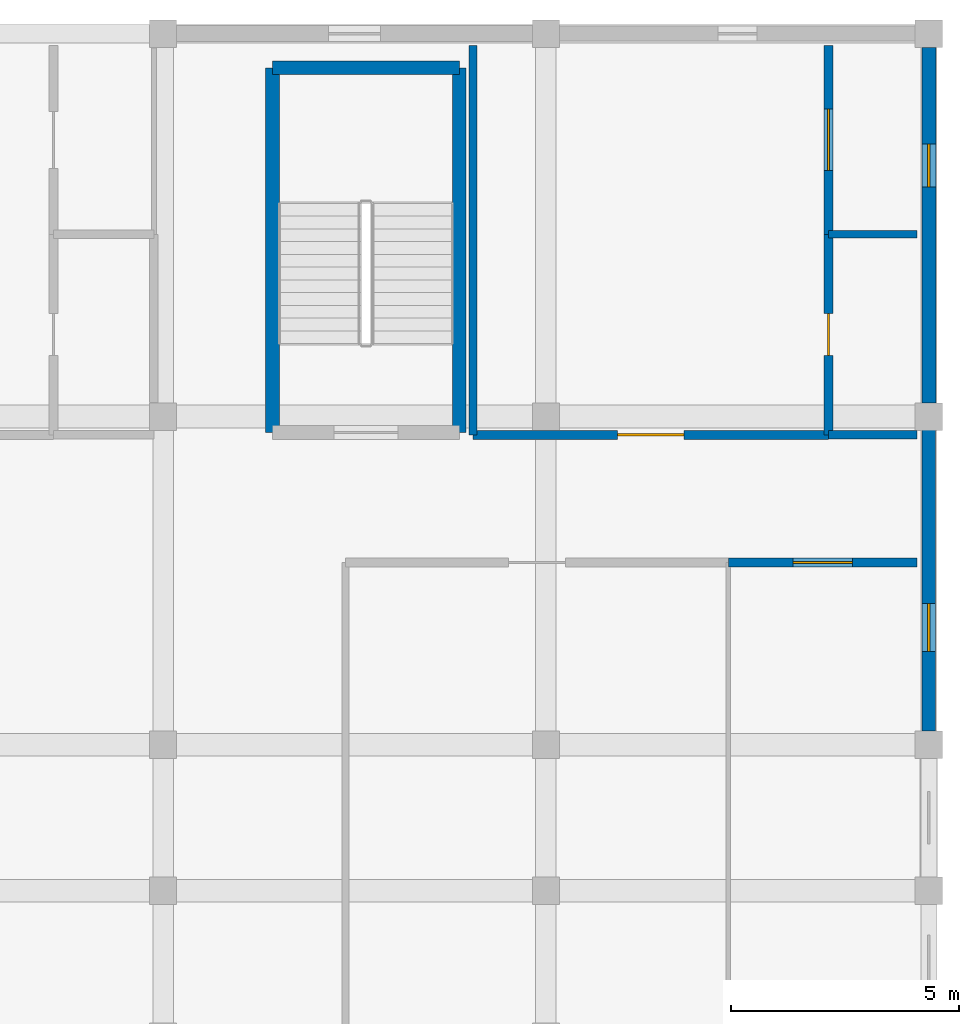
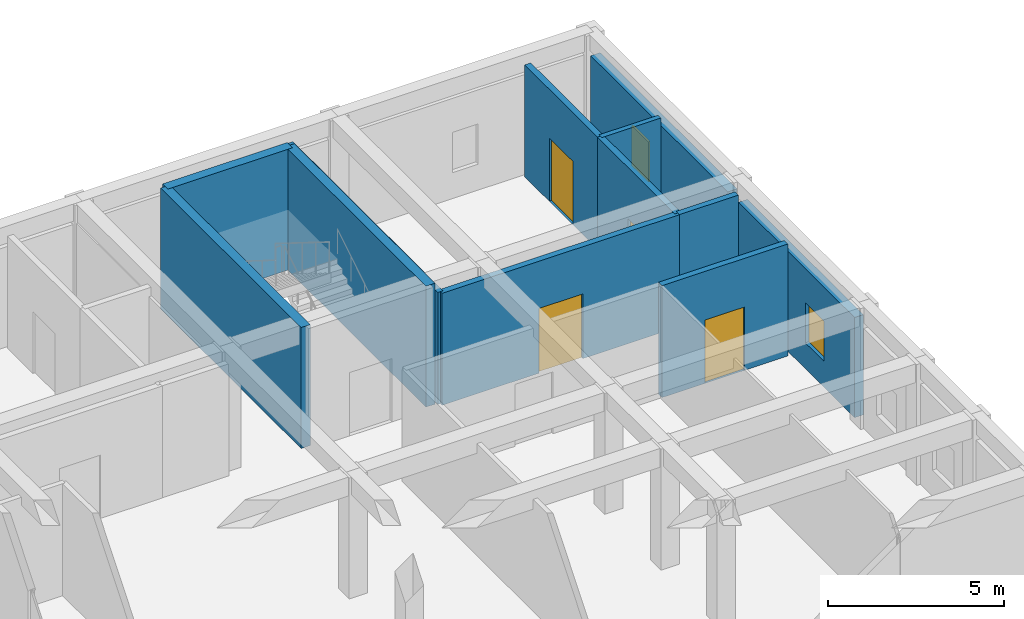
# One storey, part 60 of 77: 12 walls, 4 doors, 2 windows, 6 openings.
"""IFC4 building model written with IfcOpenShell, lengths in metres."""

from ifc_helpers import new_model, si_unit, direction, frame, frame_2d, origin, place, context, subcontext, project, spatial, rectangle, extrude, material, layer, layer_set, type_object, element, fill, save


model = new_model("IFC4")

# Units and contexts
model_context = context("Model", 3, precision=1e-05, world=origin(), true_north=direction((0.0, 1.0)))
body_context = subcontext(model_context, "Body", "Model", "MODEL_VIEW")
ifc_project = project(units=[si_unit("LENGTHUNIT", "METRE"), si_unit("AREAUNIT", "SQUARE_METRE"), si_unit("VOLUMEUNIT", "CUBIC_METRE"), si_unit("PLANEANGLEUNIT", "RADIAN"), si_unit("MASSUNIT", "GRAM", prefix="KILO")], contexts=[model_context])

# Site, building, storey
site_placement = place(None, origin())
site = spatial("IfcSite", under=ifc_project, at=site_placement, CompositionType="ELEMENT")
building_placement = place(site_placement, origin())
building = spatial("IfcBuilding", under=site, at=building_placement, Name="Varncliffe General Hospital", CompositionType="ELEMENT")
storey_placement = place(building_placement, frame((0.0, 0.0, 16.199951171875)))
storey = spatial("IfcBuildingStorey", under=building, at=storey_placement, Name="L03", CompositionType="ELEMENT", Elevation=16.199951171875)

# Wall, opening, window
ifc_material_1 = material(Name="Precast concrete C40/50 with insulated cream lime-cement stucco", Category="concrete")
ifc_layer_1 = layer(ifc_material_1, 0.31005859375)
ifc_layer_set_1 = layer_set([ifc_layer_1], Name="Precast concrete C40/50 with insulated cream lime-cement stucco")
wall_type_1 = type_object("IfcWallType", Name="Exterior Insulated Stucco Wall EW20 (310mm)", PredefinedType="SOLIDWALL", material=ifc_layer_set_1)
wall_1_placement = place(storey_placement, frame((176.39990234375, 124.501953125, 0.0), z_axis=(0.0, 0.0, 1.0), x_axis=(0.0, -1.0, 0.0)))
wall_1 = element("IfcWall", 1, at=wall_1_placement, inside=storey, type_object=wall_type_1, Name="L03 Exterior Stucco Wall EW20-258", PredefinedType="SOLIDWALL", context=body_context, shape_type="SweptSolid", body=[
    extrude(rectangle(XDim=7.803955078125, YDim=0.31005859375, at=frame_2d((3.90185546875, 0.0))), origin(), (0.0, 0.0, 1.0), 3.47998046875),
])
opening_1_placement = place(wall_1_placement, frame((2.1171875, 0.0, 0.89990234375)))
opening_1 = element("IfcOpeningElement", 2, at=opening_1_placement, cuts=wall_1, Name="Opening WN39", PredefinedType="OPENING", context=body_context, shape_type="SweptSolid", body=[
    extrude(rectangle(XDim=0.949951171875, YDim=1.39990234375, at=frame_2d((0.47509765625, 0.699951171875))), frame((0.0, 0.1650390625, 0.0), z_axis=(0.0, -1.0, 0.0), x_axis=(1.0, 0.0, 0.0)), (0.0, 0.0, 1.0), 0.330078125),
])
ifc_material_2 = material(Name="Triple low-E argon insulated vision glazing", Category="glass")
window_type_1 = type_object("IfcWindowType", Name="Triple-Glazed Hospital Window WN39 (950x1400)", PartitioningType="SINGLE_PANEL", PredefinedType="WINDOW", material=ifc_material_2)
window_1_placement = place(opening_1_placement, origin())
window_1 = element("IfcWindow", 3, at=window_1_placement, inside=storey, type_object=window_type_1, Name="L03 Hospital Window WN39-178", OverallHeight=1.39990234375, OverallWidth=0.949951171875, PartitioningType="SINGLE_PANEL", PredefinedType="WINDOW", context=body_context, shape_type="SweptSolid", body=[
    extrude(rectangle(XDim=0.949951171875, YDim=1.39990234375, at=frame_2d((0.47509765625, 0.699951171875))), frame((0.0, 0.030029296875, 0.0), z_axis=(0.0, -1.0, 0.0), x_axis=(1.0, 0.0, 0.0)), (0.0, 0.0, 1.0), 0.06005859375),
])
fill(opening_1, window_1)

ifc_layer_2 = layer(ifc_material_1, 0.2900390625)
ifc_layer_set_2 = layer_set([ifc_layer_2], Name="Precast concrete C40/50 with insulated cream lime-cement stucco")
wall_type_2 = type_object("IfcWallType", Name="Exterior Insulated Stucco Wall EW31 (290mm)", PredefinedType="SOLIDWALL", material=ifc_layer_set_2)
wall_2_placement = place(storey_placement, frame((176.39990234375, 116.10205078125, 0.0), z_axis=(0.0, 0.0, 1.0), x_axis=(0.0, -1.0, 0.0)))
wall_2 = element("IfcWall", 4, at=wall_2_placement, inside=storey, type_object=wall_type_2, Name="L03 Exterior Stucco Wall EW31-259", PredefinedType="SOLIDWALL", context=body_context, shape_type="SweptSolid", body=[
    extrude(rectangle(XDim=6.60400390625, YDim=0.2900390625, at=frame_2d((3.302001953125, 0.0))), origin(), (0.0, 0.0, 1.0), 3.47998046875),
])
opening_2_placement = place(wall_2_placement, frame((3.80078125, 0.0, 0.89990234375)))
opening_2 = element("IfcOpeningElement", 5, at=opening_2_placement, cuts=wall_2, Name="Opening WN68", PredefinedType="OPENING", context=body_context, shape_type="SweptSolid", body=[
    extrude(rectangle(XDim=1.050048828125, YDim=1.39990234375, at=frame_2d((0.52490234375, 0.699951171875))), frame((0.0, 0.155029296875, 0.0), z_axis=(0.0, -1.0, 0.0), x_axis=(1.0, 0.0, 0.0)), (0.0, 0.0, 1.0), 0.31005859375),
])
window_type_2 = type_object("IfcWindowType", Name="Triple-Glazed Hospital Window WN68 (1050x1400)", PartitioningType="SINGLE_PANEL", PredefinedType="WINDOW", material=ifc_material_2)
window_2_placement = place(opening_2_placement, origin())
window_2 = element("IfcWindow", 6, at=window_2_placement, inside=storey, type_object=window_type_2, Name="L03 Hospital Window WN68-179", OverallHeight=1.39990234375, OverallWidth=1.050048828125, PartitioningType="SINGLE_PANEL", PredefinedType="WINDOW", context=body_context, shape_type="SweptSolid", body=[
    extrude(rectangle(XDim=1.050048828125, YDim=1.39990234375, at=frame_2d((0.52490234375, 0.699951171875))), frame((0.0, 0.030029296875, 0.0), z_axis=(0.0, -1.0, 0.0), x_axis=(1.0, 0.0, 0.0)), (0.0, 0.0, 1.0), 0.06005859375),
])
fill(opening_2, window_2)

# Wall
ifc_material_3 = material(Name="Acoustic clinical gypsum stud partition assembly", Category="gypsum")
ifc_layer_3 = layer(ifc_material_3, 0.169921875)
ifc_layer_set_3 = layer_set([ifc_layer_3], Name="Acoustic clinical gypsum stud partition assembly")
wall_type_3 = type_object("IfcWallType", Name="Interior Partitioning IW20 (170mm)", PredefinedType="PARTITIONING", material=ifc_layer_set_3)
wall_3_placement = place(storey_placement, frame((166.39990234375, 116.0, 0.0), z_axis=(0.0, 0.0, 1.0), x_axis=(0.0, 1.0, 0.0)))
element("IfcWall", 7, at=wall_3_placement, inside=storey, type_object=wall_type_3, Name="L03 Interior Partition Wall IW20-1670", PredefinedType="PARTITIONING", context=body_context, shape_type="SweptSolid", body=[
    extrude(rectangle(XDim=8.5400390625, YDim=0.169921875, at=frame_2d((4.27001953125, 0.0))), origin(), (0.0, 0.0, 1.0), 3.89013671875),
])

# Wall, opening, door
ifc_material_4 = material(Name="Fire-rated gypsum and mineral-wool partition assembly", Category="gypsum")
ifc_layer_4 = layer(ifc_material_4, 0.199951171875)
ifc_layer_set_4 = layer_set([ifc_layer_4], Name="Fire-rated gypsum and mineral-wool partition assembly")
wall_type_4 = type_object("IfcWallType", Name="Interior Partitioning PW63 (200mm)", PredefinedType="PARTITIONING", material=ifc_layer_set_4)
wall_4_placement = place(storey_placement, frame((172.0, 113.199951171875, 0.0), z_axis=(0.0, 0.0, 1.0), x_axis=(1.0, 0.0, 0.0)))
wall_4 = element("IfcWall", 8, at=wall_4_placement, inside=storey, type_object=wall_type_4, Name="L03 Interior Partition Wall PW63-1479", PredefinedType="PARTITIONING", context=body_context, shape_type="SweptSolid", body=[
    extrude(rectangle(XDim=4.139892578125, YDim=0.199951171875, at=frame_2d((2.06982421875, 0.0))), origin(), (0.0, 0.0, 1.0), 3.89013671875),
])
opening_3_placement = place(wall_4_placement, frame((1.419921875, 0.0, 0.0)))
opening_3 = element("IfcOpeningElement", 9, at=opening_3_placement, cuts=wall_4, Name="Opening DC88", PredefinedType="OPENING", context=body_context, shape_type="SweptSolid", body=[
    extrude(rectangle(XDim=1.300048828125, YDim=2.199951171875, at=frame_2d((0.64990234375, 1.10009765625))), frame((0.0, 0.10986328125, 0.0), z_axis=(0.0, -1.0, 0.0), x_axis=(1.0, 0.0, 0.0)), (0.0, 0.0, 1.0), 0.219970703125),
])
ifc_material_5 = material(Name="Fire-rated hospital steel-frame vision-panel door", Category="steel")
door_type_1 = type_object("IfcDoorType", Name="Interior Hospital Door DC88 (1300x2200)", OperationType="NOTDEFINED", PredefinedType="DOOR", material=ifc_material_5)
door_1_placement = place(opening_3_placement, frame((1.300048828125, 0.0, 0.0), z_axis=(0.0, 0.0, 1.0), x_axis=(-1.0, 0.0, 0.0)))
door_1 = element("IfcDoor", 10, at=door_1_placement, inside=storey, type_object=door_type_1, Name="L03 Orthopaedic Inpatient Ward Suite 127 Door", OperationType="SINGLE_SWING_RIGHT", OverallHeight=2.199951171875, OverallWidth=1.300048828125, PredefinedType="DOOR", context=body_context, shape_type="SweptSolid", body=[
    extrude(rectangle(XDim=1.300048828125, YDim=2.199951171875, at=frame_2d((0.64990234375, 1.10009765625))), frame((0.0, 0.02490234375, 0.0), z_axis=(0.0, -1.0, 0.0), x_axis=(1.0, 0.0, 0.0)), (0.0, 0.0, 1.0), 0.050048828125),
])
fill(opening_3, door_1)

wall_5_placement = place(storey_placement, frame((166.39990234375, 116.0, 0.0), z_axis=(0.0, 0.0, 1.0), x_axis=(1.0, 0.0, 0.0)))
wall_5 = element("IfcWall", 11, at=wall_5_placement, inside=storey, type_object=wall_type_4, Name="L03 Interior Partition Wall PW63-1491", PredefinedType="PARTITIONING", context=body_context, shape_type="SweptSolid", body=[
    extrude(rectangle(XDim=7.800048828125, YDim=0.199951171875, at=frame_2d((3.89990234375, 0.0))), origin(), (0.0, 0.0, 1.0), 3.89013671875),
])
opening_4_placement = place(wall_5_placement, frame((3.175048828125, 0.0, 0.0)))
opening_4 = element("IfcOpeningElement", 12, at=opening_4_placement, cuts=wall_5, Name="Opening DC66", PredefinedType="OPENING", context=body_context, shape_type="SweptSolid", body=[
    extrude(rectangle(XDim=1.449951171875, YDim=2.25, at=frame_2d((0.72509765625, 1.125))), frame((0.0, 0.10986328125, 0.0), z_axis=(0.0, -1.0, 0.0), x_axis=(1.0, 0.0, 0.0)), (0.0, 0.0, 1.0), 0.219970703125),
])
door_type_2 = type_object("IfcDoorType", Name="Interior Hospital Door DC66 (1450x2250)", OperationType="NOTDEFINED", PredefinedType="DOOR", material=ifc_material_5)
door_2_placement = place(opening_4_placement, origin())
door_2 = element("IfcDoor", 13, at=door_2_placement, inside=storey, type_object=door_type_2, Name="L03 Orthopaedic Inpatient Ward Suite 138 Door", OperationType="SINGLE_SWING_LEFT", OverallHeight=2.25, OverallWidth=1.449951171875, PredefinedType="DOOR", context=body_context, shape_type="SweptSolid", body=[
    extrude(rectangle(XDim=1.449951171875, YDim=2.25, at=frame_2d((0.72509765625, 1.125))), frame((0.0, 0.02490234375, 0.0), z_axis=(0.0, -1.0, 0.0), x_axis=(1.0, 0.0, 0.0)), (0.0, 0.0, 1.0), 0.050048828125),
])
fill(opening_4, door_2)

wall_6_placement = place(storey_placement, frame((174.199951171875, 116.0, 0.0), z_axis=(0.0, 0.0, 1.0), x_axis=(0.0, 1.0, 0.0)))
wall_6 = element("IfcWall", 14, at=wall_6_placement, inside=storey, type_object=wall_type_4, Name="L03 Interior Partition Wall PW63-1672", PredefinedType="PARTITIONING", context=body_context, shape_type="SweptSolid", body=[
    extrude(rectangle(XDim=4.39990234375, YDim=0.199951171875, at=frame_2d((2.199951171875, 0.0))), origin(), (0.0, 0.0, 1.0), 3.89013671875),
])
opening_5_placement = place(wall_6_placement, frame((1.739990234375, 0.0, 0.0)))
opening_5 = element("IfcOpeningElement", 15, at=opening_5_placement, cuts=wall_6, Name="Opening DI70", PredefinedType="OPENING", context=body_context, shape_type="SweptSolid", body=[
    extrude(rectangle(XDim=0.919921875, YDim=2.10009765625, at=frame_2d((0.4599609375, 1.050048828125))), frame((0.0, 0.10986328125, 0.0), z_axis=(0.0, -1.0, 0.0), x_axis=(1.0, 0.0, 0.0)), (0.0, 0.0, 1.0), 0.219970703125),
])
ifc_material_6 = material(Name="Solid-core antimicrobial hospital oak veneer door", Category="wood")
door_type_3 = type_object("IfcDoorType", Name="Interior Hospital Door DI70 (920x2100)", OperationType="NOTDEFINED", PredefinedType="DOOR", material=ifc_material_6)
door_3_placement = place(opening_5_placement, frame((0.919921875, 0.0, 0.0), z_axis=(0.0, 0.0, 1.0), x_axis=(-1.0, 0.0, 0.0)))
door_3 = element("IfcDoor", 16, at=door_3_placement, inside=storey, type_object=door_type_3, Name="L03 En-Suite Bathroom 139 Door", OperationType="SINGLE_SWING_RIGHT", OverallHeight=2.10009765625, OverallWidth=0.919921875, PredefinedType="DOOR", context=body_context, shape_type="SweptSolid", body=[
    extrude(rectangle(XDim=0.919921875, YDim=2.10009765625, at=frame_2d((0.4599609375, 1.050048828125))), frame((0.0, 0.02490234375, 0.0), z_axis=(0.0, -1.0, 0.0), x_axis=(1.0, 0.0, 0.0)), (0.0, 0.0, 1.0), 0.050048828125),
])
fill(opening_5, door_3)

wall_7_placement = place(storey_placement, frame((174.199951171875, 120.39990234375, 0.0), z_axis=(0.0, 0.0, 1.0), x_axis=(0.0, 1.0, 0.0)))
wall_7 = element("IfcWall", 17, at=wall_7_placement, inside=storey, type_object=wall_type_4, Name="L03 Interior Partition Wall PW63-1673", PredefinedType="PARTITIONING", context=body_context, shape_type="SweptSolid", body=[
    extrude(rectangle(XDim=4.14013671875, YDim=0.199951171875, at=frame_2d((2.070068359375, 0.0))), origin(), (0.0, 0.0, 1.0), 3.89013671875),
])
opening_6_placement = place(wall_7_placement, frame((1.39501953125, 0.0, 0.0)))
opening_6 = element("IfcOpeningElement", 18, at=opening_6_placement, cuts=wall_7, Name="Opening DC85", PredefinedType="OPENING", context=body_context, shape_type="SweptSolid", body=[
    extrude(rectangle(XDim=1.35009765625, YDim=2.199951171875, at=frame_2d((0.675048828125, 1.10009765625))), frame((0.0, 0.10986328125, 0.0), z_axis=(0.0, -1.0, 0.0), x_axis=(1.0, 0.0, 0.0)), (0.0, 0.0, 1.0), 0.219970703125),
])
door_type_4 = type_object("IfcDoorType", Name="Interior Hospital Door DC85 (1350x2200)", OperationType="NOTDEFINED", PredefinedType="DOOR", material=ifc_material_5)
door_4_placement = place(opening_6_placement, frame((1.35009765625, 0.0, 0.0), z_axis=(0.0, 0.0, 1.0), x_axis=(-1.0, 0.0, 0.0)))
door_4 = element("IfcDoor", 19, at=door_4_placement, inside=storey, type_object=door_type_4, Name="L03 Patient Medication and Hygiene Bay 140 Door", OperationType="SINGLE_SWING_LEFT", OverallHeight=2.199951171875, OverallWidth=1.35009765625, PredefinedType="DOOR", context=body_context, shape_type="SweptSolid", body=[
    extrude(rectangle(XDim=1.35009765625, YDim=2.199951171875, at=frame_2d((0.675048828125, 1.10009765625))), frame((0.0, 0.02490234375, 0.0), z_axis=(0.0, -1.0, 0.0), x_axis=(1.0, 0.0, 0.0)), (0.0, 0.0, 1.0), 0.050048828125),
])
fill(opening_6, door_4)

# Walls
ifc_material_7 = material(Name="Moisture-resistant plumbing chase wall assembly", Category="gypsum")
ifc_layer_5 = layer(ifc_material_7, 0.18994140625)
ifc_layer_set_5 = layer_set([ifc_layer_5], Name="Moisture-resistant plumbing chase wall assembly")
wall_type_5 = type_object("IfcWallType", Name="Interior Plumbingwall MW17 (190mm)", PredefinedType="PLUMBINGWALL", material=ifc_layer_set_5)
wall_8_placement = place(storey_placement, frame((174.199951171875, 116.0, 0.0), z_axis=(0.0, 0.0, 1.0), x_axis=(1.0, 0.0, 0.0)))
element("IfcWall", 20, at=wall_8_placement, inside=storey, type_object=wall_type_5, Name="L03 Interior Plumbing Wall MW17-1492", PredefinedType="PLUMBINGWALL", context=body_context, shape_type="SweptSolid", body=[
    extrude(rectangle(XDim=1.93994140625, YDim=0.18994140625, at=frame_2d((0.969970703125, 0.0))), origin(), (0.0, 0.0, 1.0), 3.89013671875),
])
ifc_layer_6 = layer(ifc_material_7, 0.159912109375)
ifc_layer_set_6 = layer_set([ifc_layer_6], Name="Moisture-resistant plumbing chase wall assembly")
wall_type_6 = type_object("IfcWallType", Name="Interior Plumbingwall MW31 (160mm)", PredefinedType="PLUMBINGWALL", material=ifc_layer_set_6)
wall_9_placement = place(storey_placement, frame((174.199951171875, 120.39990234375, 0.0), z_axis=(0.0, 0.0, 1.0), x_axis=(1.0, 0.0, 0.0)))
element("IfcWall", 21, at=wall_9_placement, inside=storey, type_object=wall_type_6, Name="L03 Interior Plumbing Wall MW31-1509", PredefinedType="PLUMBINGWALL", context=body_context, shape_type="SweptSolid", body=[
    extrude(rectangle(XDim=1.93994140625, YDim=0.159912109375, at=frame_2d((0.969970703125, 0.0))), origin(), (0.0, 0.0, 1.0), 3.89013671875),
])
ifc_material_8 = material(Name="Concrete C40/50 (CSA A23.1 40 MPa)", Category="concrete")
ifc_layer_7 = layer(ifc_material_8, 0.300048828125)
ifc_layer_set_7 = layer_set([ifc_layer_7], Name="Concrete C40/50 (CSA A23.1 40 MPa)")
wall_type_7 = type_object("IfcWallType", Name="Reinforced Concrete Core Shear Wall CW12 (300mm)", PredefinedType="SHEAR", material=ifc_layer_set_7)
wall_10_placement = place(storey_placement, frame((166.10009765625, 116.050048828125, 0.0), z_axis=(0.0, 0.0, 1.0), x_axis=(0.0, 1.0, 0.0)))
element("IfcWall", 22, at=wall_10_placement, inside=storey, type_object=wall_type_7, Name="L03 ST04 Core Shear Wall L", PredefinedType="SHEAR", context=body_context, shape_type="SweptSolid", body=[
    extrude(rectangle(XDim=8.0, YDim=0.300048828125, at=frame_2d((4.0, 0.0))), origin(), (0.0, 0.0, 1.0), 4.199951171875),
])
wall_11_placement = place(storey_placement, frame((166.10009765625, 124.050048828125, 0.0), z_axis=(0.0, 0.0, 1.0), x_axis=(-1.0, 0.0, 0.0)))
element("IfcWall", 23, at=wall_11_placement, inside=storey, type_object=wall_type_7, Name="L03 ST04 Core Shear Wall F", PredefinedType="SHEAR", context=body_context, shape_type="SweptSolid", body=[
    extrude(rectangle(XDim=4.10009765625, YDim=0.300048828125, at=frame_2d((2.050048828125, 0.0))), origin(), (0.0, 0.0, 1.0), 4.199951171875),
])
wall_12_placement = place(storey_placement, frame((162.0, 124.050048828125, 0.0), z_axis=(0.0, 0.0, 1.0), x_axis=(0.0, -1.0, 0.0)))
element("IfcWall", 24, at=wall_12_placement, inside=storey, type_object=wall_type_7, Name="L03 ST04 Core Shear Wall R", PredefinedType="SHEAR", context=body_context, shape_type="SweptSolid", body=[
    extrude(rectangle(XDim=8.0, YDim=0.300048828125, at=frame_2d((4.0, 0.0))), origin(), (0.0, 0.0, 1.0), 4.199951171875),
])

save(model, "model.ifc")
